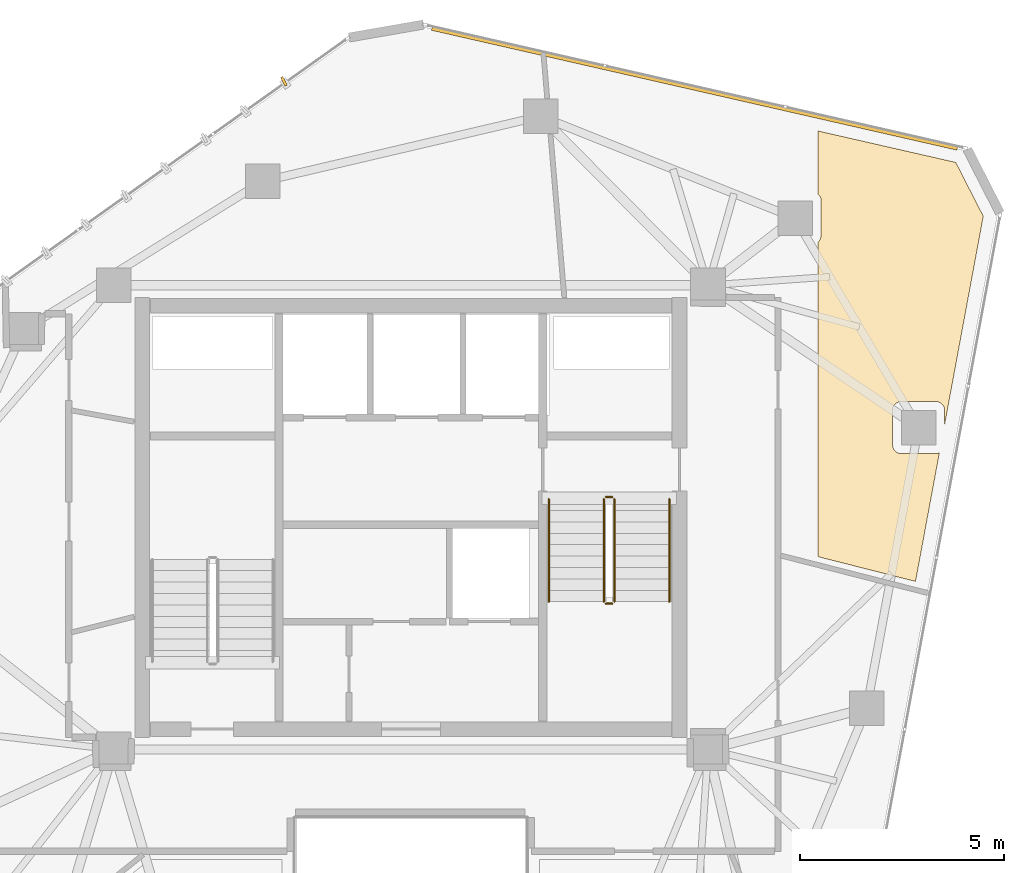
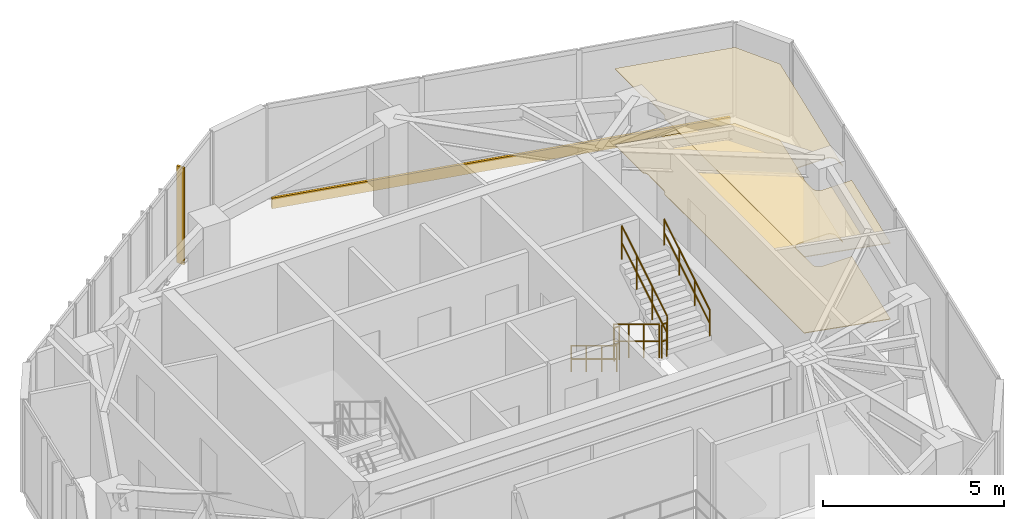
# One storey, part 19 of 19: 6 railings, 3 coverings, 1 shading device.
"""IFC4 building model written with IfcOpenShell, lengths in metres."""

from ifc_helpers import new_model, si_unit, direction, frame, origin, origin_2d, place, context, subcontext, project, spatial, polyline, rectangle, circle, outline, extrude, source, transform, mapped, material, layer, layer_set, type_object, type_shapes, element, save


model = new_model("IFC4")

# Units and contexts
model_context = context("Model", 3, precision=1e-05, world=origin(), true_north=direction((0.0, 1.0)))
body_context = subcontext(model_context, "Body", "Model", "MODEL_VIEW")
ifc_project = project(units=[si_unit("LENGTHUNIT", "METRE"), si_unit("AREAUNIT", "SQUARE_METRE"), si_unit("VOLUMEUNIT", "CUBIC_METRE"), si_unit("PLANEANGLEUNIT", "RADIAN"), si_unit("MASSUNIT", "GRAM", prefix="KILO")], contexts=[model_context])

# Site, building, storey
site_placement = place(None, origin())
site = spatial("IfcSite", under=ifc_project, at=site_placement, CompositionType="ELEMENT")
building_placement = place(site_placement, origin())
building = spatial("IfcBuilding", under=site, at=building_placement, Name="Talar Marvaseh", CompositionType="ELEMENT")
storey_placement = place(building_placement, frame((0.0, 0.0, 240.800048828125)))
storey = spatial("IfcBuildingStorey", under=building, at=storey_placement, Name="L63", CompositionType="ELEMENT", Elevation=240.800048828125)

# Railings
ifc_material_1 = material(Name="Stainless Steel Grade 316", Category="steel")
railing_type_1 = type_object("IfcRailingType", Name="Brushed Stainless Wall Pitch Handrail 900", PredefinedType="HANDRAIL", material=ifc_material_1)
railing_1_placement = place(storey_placement, frame((29.389892578125, 31.64990234375, 0.169921875)))
element("IfcRailing", 1, at=railing_1_placement, inside=storey, type_object=railing_type_1, Name="L63 ST-2 stair handrail 1", PredefinedType="HANDRAIL", context=body_context, shape_type="SweptSolid", body=[
    extrude(circle(Radius=0.02392578125, at=origin_2d()), frame((0.0, 0.0, 0.8759765625), z_axis=(0.0, -0.85478489116, 0.518982456201), x_axis=(1.0, 0.0, 0.0)), (0.0, 0.0, 1.0), 2.9482421875),
    extrude(circle(Radius=0.02392578125, at=origin_2d()), frame((0.0, 0.0, 0.42578125), z_axis=(0.0, -0.85478489116, 0.518982456201), x_axis=(1.0, 0.0, 0.0)), (0.0, 0.0, 1.0), 2.9482421875),
    extrude(circle(Radius=0.02099609375, at=origin_2d()), origin(), (0.0, 0.0, 1.0), 0.851806640625),
    extrude(circle(Radius=0.02099609375, at=origin_2d()), frame((0.0, -0.840087890625, 0.510009765625)), (0.0, 0.0, 1.0), 0.851806640625),
    extrude(circle(Radius=0.02099609375, at=origin_2d()), frame((0.0, -1.679931640625, 1.02001953125)), (0.0, 0.0, 1.0), 0.851806640625),
    extrude(circle(Radius=0.02099609375, at=origin_2d()), frame((0.0, -2.52001953125, 1.530029296875)), (0.0, 0.0, 1.0), 0.851806640625),
])
railing_2_placement = place(storey_placement, frame((32.35009765625, 29.1298828125, 1.869873046875)))
element("IfcRailing", 2, at=railing_2_placement, inside=storey, type_object=railing_type_1, Name="L63 ST-2 stair handrail 2", PredefinedType="HANDRAIL", context=body_context, shape_type="SweptSolid", body=[
    extrude(circle(Radius=0.02392578125, at=origin_2d()), frame((0.0, 0.0, 0.8759765625), z_axis=(0.0, 0.85478489116, 0.518982456201), x_axis=(-1.0, 0.0, 0.0)), (0.0, 0.0, 1.0), 2.9482421875),
    extrude(circle(Radius=0.02392578125, at=origin_2d()), frame((0.0, 0.0, 0.42578125), z_axis=(0.0, 0.85478489116, 0.518982456201), x_axis=(-1.0, 0.0, 0.0)), (0.0, 0.0, 1.0), 2.9482421875),
    extrude(circle(Radius=0.02099609375, at=origin_2d()), origin(), (0.0, 0.0, 1.0), 0.851806640625),
    extrude(circle(Radius=0.02099609375, at=origin_2d()), frame((0.0, 0.840087890625, 0.510009765625)), (0.0, 0.0, 1.0), 0.851806640625),
    extrude(circle(Radius=0.02099609375, at=origin_2d()), frame((0.0, 1.679931640625, 1.02001953125)), (0.0, 0.0, 1.0), 0.851806640625),
    extrude(circle(Radius=0.02099609375, at=origin_2d()), frame((0.0, 2.52001953125, 1.530029296875)), (0.0, 0.0, 1.0), 0.851806640625),
])
railing_type_2 = type_object("IfcRailingType", Name="Painted Steel Core Stair Well Guardrail 1150", PredefinedType="GUARDRAIL", material=ifc_material_1)
railing_3_placement = place(storey_placement, frame((30.739990234375, 31.64990234375, 0.169921875)))
element("IfcRailing", 3, at=railing_3_placement, inside=storey, type_object=railing_type_2, Name="L63 ST-2 stair guard 1", PredefinedType="GUARDRAIL", context=body_context, shape_type="SweptSolid", body=[
    extrude(circle(Radius=0.02392578125, at=origin_2d()), frame((0.0, 0.0, 1.1259765625), z_axis=(0.0, -0.85478489116, 0.518982456201), x_axis=(1.0, 0.0, 0.0)), (0.0, 0.0, 1.0), 2.9482421875),
    extrude(circle(Radius=0.02392578125, at=origin_2d()), frame((0.0, 0.0, 0.55078125), z_axis=(0.0, -0.85478489116, 0.518982456201), x_axis=(1.0, 0.0, 0.0)), (0.0, 0.0, 1.0), 2.9482421875),
    extrude(circle(Radius=0.02099609375, at=origin_2d()), origin(), (0.0, 0.0, 1.0), 1.101806640625),
    extrude(circle(Radius=0.02099609375, at=origin_2d()), frame((0.0, -0.840087890625, 0.510009765625)), (0.0, 0.0, 1.0), 1.101806640625),
    extrude(circle(Radius=0.02099609375, at=origin_2d()), frame((0.0, -1.679931640625, 1.02001953125)), (0.0, 0.0, 1.0), 1.101806640625),
    extrude(circle(Radius=0.02099609375, at=origin_2d()), frame((0.0, -2.52001953125, 1.530029296875)), (0.0, 0.0, 1.0), 1.101806640625),
])
railing_4_placement = place(storey_placement, frame((30.7900390625, 29.080078125, 1.699951171875)))
element("IfcRailing", 4, at=railing_4_placement, inside=storey, type_object=railing_type_2, Name="L63 ST-2 stair guard 2", PredefinedType="GUARDRAIL", context=body_context, shape_type="SweptSolid", body=[
    extrude(circle(Radius=0.02392578125, at=origin_2d()), frame((0.0, 0.0, 1.1259765625), z_axis=(1.0, 0.0, 0.0), x_axis=(0.0, 1.0, 0.0)), (0.0, 0.0, 1.0), 0.159912109375),
    extrude(circle(Radius=0.02392578125, at=origin_2d()), frame((0.0, 0.0, 0.55078125), z_axis=(1.0, 0.0, 0.0), x_axis=(0.0, 1.0, 0.0)), (0.0, 0.0, 1.0), 0.159912109375),
    extrude(circle(Radius=0.02099609375, at=origin_2d()), origin(), (0.0, 0.0, 1.0), 1.101806640625),
    extrude(circle(Radius=0.02099609375, at=origin_2d()), frame((0.159912109375, 0.0, 0.0)), (0.0, 0.0, 1.0), 1.101806640625),
])
railing_5_placement = place(storey_placement, frame((31.0, 29.1298828125, 1.869873046875)))
element("IfcRailing", 5, at=railing_5_placement, inside=storey, type_object=railing_type_2, Name="L63 ST-2 stair guard 3", PredefinedType="GUARDRAIL", context=body_context, shape_type="SweptSolid", body=[
    extrude(circle(Radius=0.02392578125, at=origin_2d()), frame((0.0, 0.0, 1.1259765625), z_axis=(0.0, 0.85478489116, 0.518982456201), x_axis=(-1.0, 0.0, 0.0)), (0.0, 0.0, 1.0), 2.9482421875),
    extrude(circle(Radius=0.02392578125, at=origin_2d()), frame((0.0, 0.0, 0.55078125), z_axis=(0.0, 0.85478489116, 0.518982456201), x_axis=(-1.0, 0.0, 0.0)), (0.0, 0.0, 1.0), 2.9482421875),
    extrude(circle(Radius=0.02099609375, at=origin_2d()), origin(), (0.0, 0.0, 1.0), 1.101806640625),
    extrude(circle(Radius=0.02099609375, at=origin_2d()), frame((0.0, 0.840087890625, 0.510009765625)), (0.0, 0.0, 1.0), 1.101806640625),
    extrude(circle(Radius=0.02099609375, at=origin_2d()), frame((0.0, 1.679931640625, 1.02001953125)), (0.0, 0.0, 1.0), 1.101806640625),
    extrude(circle(Radius=0.02099609375, at=origin_2d()), frame((0.0, 2.52001953125, 1.530029296875)), (0.0, 0.0, 1.0), 1.101806640625),
])
railing_6_placement = place(storey_placement, frame((30.7900390625, 31.699951171875, 0.0)))
element("IfcRailing", 6, at=railing_6_placement, inside=storey, type_object=railing_type_2, Name="L63 ST-2 stair guard 4", PredefinedType="GUARDRAIL", context=body_context, shape_type="SweptSolid", body=[
    extrude(circle(Radius=0.02392578125, at=origin_2d()), frame((0.0, 0.0, 1.1259765625), z_axis=(1.0, 0.0, 0.0), x_axis=(0.0, 1.0, 0.0)), (0.0, 0.0, 1.0), 0.159912109375),
    extrude(circle(Radius=0.02392578125, at=origin_2d()), frame((0.0, 0.0, 0.55078125), z_axis=(1.0, 0.0, 0.0), x_axis=(0.0, 1.0, 0.0)), (0.0, 0.0, 1.0), 0.159912109375),
    extrude(circle(Radius=0.02099609375, at=origin_2d()), origin(), (0.0, 0.0, 1.0), 1.101806640625),
    extrude(circle(Radius=0.02099609375, at=origin_2d()), frame((0.159912109375, 0.0, 0.0)), (0.0, 0.0, 1.0), 1.101806640625),
])

# Coverings
ifc_material_2 = material(Name="Mineral Fibre Acoustic Ceiling")
ifc_layer_1 = layer(ifc_material_2, 0.02490234375)
ifc_layer_set_1 = layer_set([ifc_layer_1], Name="Mineral Fibre Acoustic Ceiling")
covering_type_1 = type_object("IfcCoveringType", Name="Perforated Mineral Fibre Acoustic Suspended Ceiling", PredefinedType="CEILING", material=ifc_layer_set_1)
covering_1_placement = place(storey_placement, frame((0.0, 0.0, 2.56005859375)))
element("IfcCovering", 7, at=covering_1_placement, inside=storey, type_object=covering_type_1, Name="L63 Scholars' Servery Pantry Acoustic Ceiling", PredefinedType="CEILING", context=body_context, shape_type="SweptSolid", body=[
    extrude(outline(polyline([(40.059814453125, 38.597900390625), (39.109130859375, 33.473388671875), (39.11083984375, 33.83154296875), (39.110107421875, 33.85009765625), (39.107666015625, 33.86865234375), (39.103515625, 33.88671875), (39.097412109375, 33.904541015625), (39.090087890625, 33.921630859375), (39.080810546875, 33.93798828125), (39.0703125, 33.953125), (39.058349609375, 33.967529296875), (39.045166015625, 33.980712890625), (39.0302734375, 33.994140625), (39.01611328125, 34.006103515625), (39.000732421875, 34.016357421875), (38.984619140625, 34.025390625), (38.967529296875, 34.03271484375), (38.949951171875, 34.03857421875), (38.931884765625, 34.042724609375), (38.91357421875, 34.045166015625), (38.89501953125, 34.0458984375), (38.034423828125, 34.04150390625), (38.014892578125, 34.04052734375), (37.99560546875, 34.03759765625), (37.9765625, 34.03271484375), (37.958251953125, 34.026123046875), (37.9404296875, 34.017578125), (37.923828125, 34.007568359375), (37.908203125, 33.995849609375), (37.8935546875, 33.982666015625), (37.880615234375, 33.968017578125), (37.868896484375, 33.952392578125), (37.85888671875, 33.935546875), (37.8505859375, 33.91796875), (37.843994140625, 33.8994140625), (37.839111328125, 33.880615234375), (37.83642578125, 33.861083984375), (37.83544921875, 33.841552734375), (37.83544921875, 32.970458984375), (37.83642578125, 32.95068359375), (37.839111328125, 32.931396484375), (37.843994140625, 32.912353515625), (37.8505859375, 32.893798828125), (37.85888671875, 32.876220703125), (37.869140625, 32.859375), (37.880859375, 32.843505859375), (37.89404296875, 32.8291015625), (37.908447265625, 32.81591796875), (37.92431640625, 32.80419921875), (37.941162109375, 32.7939453125), (37.958984375, 32.78564453125), (37.977294921875, 32.779052734375), (37.996337890625, 32.774169921875), (38.015869140625, 32.771484375), (38.035400390625, 32.7705078125), (38.906494140625, 32.7705078125), (38.926025390625, 32.771484375), (38.945556640625, 32.774169921875), (38.964599609375, 32.779052734375), (38.9814453125, 32.784912109375), (38.395751953125, 29.627685546875), (36.0, 30.2353515625), (36.0, 37.96044921875), (36.0, 37.96044921875), (36.0146484375, 37.9736328125), (36.02783203125, 37.988037109375), (36.03955078125, 38.00390625), (36.0498046875, 38.0205078125), (36.05810546875, 38.0380859375), (36.064697265625, 38.056640625), (36.069580078125, 38.075439453125), (36.072509765625, 38.094970703125), (36.073486328125, 38.114501953125), (36.077880859375, 38.9765625), (36.0771484375, 38.9951171875), (36.07470703125, 39.013671875), (36.0703125, 39.03173828125), (36.064453125, 39.049560546875), (36.056884765625, 39.066650390625), (36.0478515625, 39.0830078125), (36.037353515625, 39.09814453125), (36.025390625, 39.112548828125), (36.01220703125, 39.125732421875), (36.0, 39.13671875), (36.0, 40.690673828125), (39.384521484375, 39.918701171875), (40.059814453125, 38.597900390625)])), origin(), (0.0, 0.0, 1.0), 0.02490234375),
])
ifc_material_3 = material(Name="Porcelain Stoneware Tile", Category="masonry")
ifc_layer_2 = layer(ifc_material_3, 0.02001953125)
ifc_layer_set_2 = layer_set([ifc_layer_2], Name="Porcelain Stoneware Tile")
covering_type_2 = type_object("IfcCoveringType", Name="Polished Porcelain Stoneware Gallery Flooring", PredefinedType="FLOORING", material=ifc_layer_set_2)
covering_2_placement = place(storey_placement, origin())
element("IfcCovering", 8, at=covering_2_placement, inside=storey, type_object=covering_type_2, Name="L63 Scholars' Servery Pantry Flooring", PredefinedType="FLOORING", context=body_context, shape_type="SweptSolid", body=[
    extrude(outline(polyline([(40.059814453125, 38.597900390625), (39.109130859375, 33.473388671875), (39.11083984375, 33.83154296875), (39.110107421875, 33.85009765625), (39.107666015625, 33.86865234375), (39.103515625, 33.88671875), (39.097412109375, 33.904541015625), (39.090087890625, 33.921630859375), (39.080810546875, 33.93798828125), (39.0703125, 33.953125), (39.058349609375, 33.967529296875), (39.045166015625, 33.980712890625), (39.0302734375, 33.994140625), (39.01611328125, 34.006103515625), (39.000732421875, 34.016357421875), (38.984619140625, 34.025390625), (38.967529296875, 34.03271484375), (38.949951171875, 34.03857421875), (38.931884765625, 34.042724609375), (38.91357421875, 34.045166015625), (38.89501953125, 34.0458984375), (38.034423828125, 34.04150390625), (38.014892578125, 34.04052734375), (37.99560546875, 34.03759765625), (37.9765625, 34.03271484375), (37.958251953125, 34.026123046875), (37.9404296875, 34.017578125), (37.923828125, 34.007568359375), (37.908203125, 33.995849609375), (37.8935546875, 33.982666015625), (37.880615234375, 33.968017578125), (37.868896484375, 33.952392578125), (37.85888671875, 33.935546875), (37.8505859375, 33.91796875), (37.843994140625, 33.8994140625), (37.839111328125, 33.880615234375), (37.83642578125, 33.861083984375), (37.83544921875, 33.841552734375), (37.83544921875, 32.970458984375), (37.83642578125, 32.95068359375), (37.839111328125, 32.931396484375), (37.843994140625, 32.912353515625), (37.8505859375, 32.893798828125), (37.85888671875, 32.876220703125), (37.869140625, 32.859375), (37.880859375, 32.843505859375), (37.89404296875, 32.8291015625), (37.908447265625, 32.81591796875), (37.92431640625, 32.80419921875), (37.941162109375, 32.7939453125), (37.958984375, 32.78564453125), (37.977294921875, 32.779052734375), (37.996337890625, 32.774169921875), (38.015869140625, 32.771484375), (38.035400390625, 32.7705078125), (38.906494140625, 32.7705078125), (38.926025390625, 32.771484375), (38.945556640625, 32.774169921875), (38.964599609375, 32.779052734375), (38.9814453125, 32.784912109375), (38.395751953125, 29.627685546875), (36.0, 30.2353515625), (36.0, 37.96044921875), (36.0, 37.96044921875), (36.0146484375, 37.9736328125), (36.02783203125, 37.988037109375), (36.03955078125, 38.00390625), (36.0498046875, 38.0205078125), (36.05810546875, 38.0380859375), (36.064697265625, 38.056640625), (36.069580078125, 38.075439453125), (36.072509765625, 38.094970703125), (36.073486328125, 38.114501953125), (36.077880859375, 38.9765625), (36.0771484375, 38.9951171875), (36.07470703125, 39.013671875), (36.0703125, 39.03173828125), (36.064453125, 39.049560546875), (36.056884765625, 39.066650390625), (36.0478515625, 39.0830078125), (36.037353515625, 39.09814453125), (36.025390625, 39.112548828125), (36.01220703125, 39.125732421875), (36.0, 39.13671875), (36.0, 40.690673828125), (39.384521484375, 39.918701171875), (40.059814453125, 38.597900390625)])), origin(), (0.0, 0.0, 1.0), 0.02001953125),
])

# Shading device
ifc_material_4 = material(Name="Anodised Champagne Bronze Aluminium", Category="aluminium")
ifc_layer_3 = layer(ifc_material_4, 0.06494140625)
ifc_layer_set_3 = layer_set([ifc_layer_3], Name="Anodised Champagne Bronze Aluminium")
shading_device_type = type_object("IfcShadingDeviceType", Name="Sawtooth Champagne Bronze Vertical Fin 240", PredefinedType="USERDEFINED", material=ifc_layer_set_3)
shared_shape_1 = source(origin(), body_context, "Body", "SweptSolid", [
    extrude(rectangle(XDim=0.239990234375, YDim=0.06494140625, at=origin_2d()), origin(), (0.0, 0.0, 1.0), 3.260009765625),
])
type_shapes(shading_device_type, [shared_shape_1])
shading_device_placement = place(storey_placement, frame((22.881103515625, 41.910400390625, -0.1201171875), z_axis=(0.0, 0.0, 1.0), x_axis=(-0.460664580728, 0.887574303404, 0.0)))
element("IfcShadingDevice", 9, at=shading_device_placement, inside=storey, type_object=shading_device_type, Name="L63 Sawtooth Vertical Solar Fin", ObjectType="FIN", PredefinedType="USERDEFINED", context=body_context, shape_type="MappedRepresentation", body=[
    mapped(shared_shape_1, transform((0.0, 0.0, 0.0), x_axis=(1.0, 0.0, 0.0), y_axis=(0.0, 1.0, 0.0), z_axis=(0.0, 0.0, 1.0), scale=1.0)),
])

# Covering
ifc_material_5 = material(Name="Precast concrete C45/55", Category="concrete")
ifc_layer_4 = layer(ifc_material_5, 0.080078125)
ifc_layer_set_4 = layer_set([ifc_layer_4], Name="Precast concrete C45/55")
covering_type_3 = type_object("IfcCoveringType", Name="Precast Limestone Spandrel Cladding Band", PredefinedType="CLADDING", material=ifc_layer_set_4)
shared_shape_2 = source(origin(), body_context, "Body", "SweptSolid", [
    extrude(rectangle(XDim=13.235107421875, YDim=0.080078125, at=origin_2d()), origin(), (0.0, 0.0, 1.0), 0.360107421875),
])
type_shapes(covering_type_3, [shared_shape_2])
covering_3_placement = place(storey_placement, frame((32.96826171875, 41.730712890625, -0.3203125), z_axis=(0.0, 0.0, 1.0), x_axis=(0.974955645484, -0.222399391499, 0.0)))
element("IfcCovering", 10, at=covering_3_placement, inside=storey, type_object=covering_type_3, Name="L63 Precast Limestone Slab-Edge Spandrel Band", PredefinedType="CLADDING", context=body_context, shape_type="MappedRepresentation", body=[
    mapped(shared_shape_2, transform((0.0, 0.0, 0.0), x_axis=(1.0, 0.0, 0.0), y_axis=(0.0, 1.0, 0.0), z_axis=(0.0, 0.0, 1.0), scale=1.0)),
])

save(model, "model.ifc")
